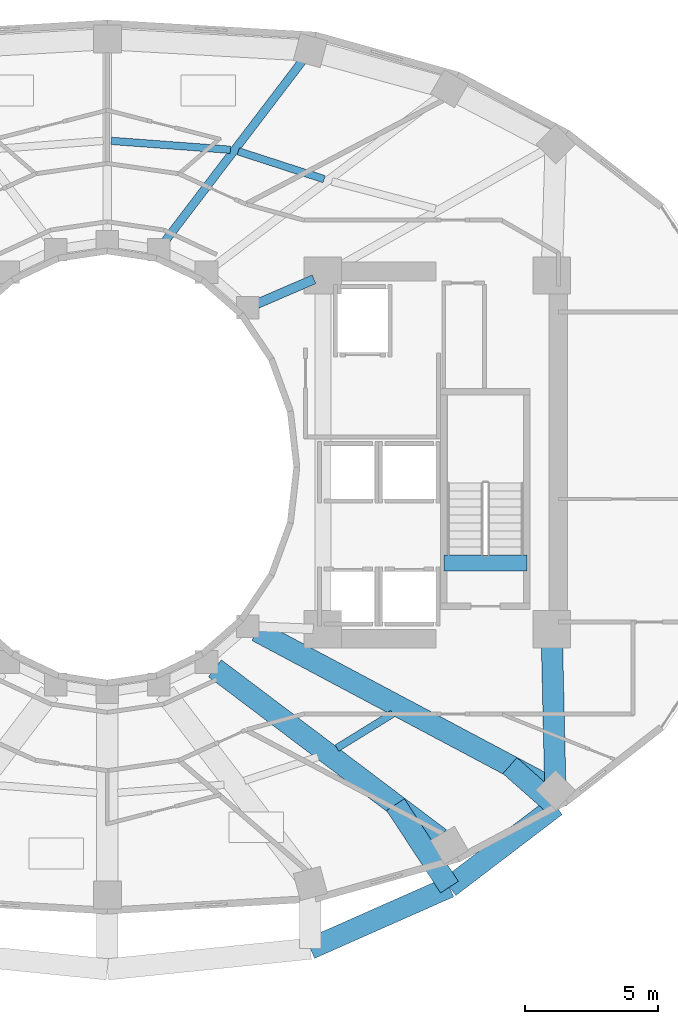
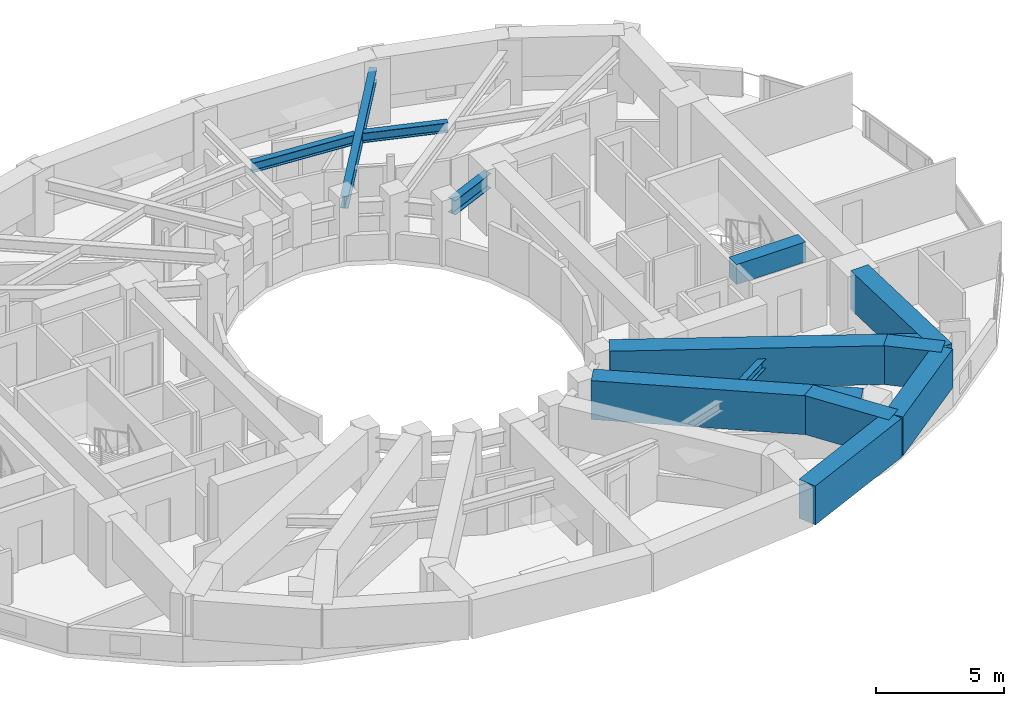
# One storey, part 2 of 14: 13 beams.
"""IFC4 building model written with IfcOpenShell, lengths in metres."""

from ifc_helpers import new_model, si_unit, direction, frame, origin, origin_2d, place, context, subcontext, project, spatial, rectangle, i_section, extrude, material, material_profile, profile_set, type_object, element, save


model = new_model("IFC4")

# Units and contexts
model_context = context("Model", 3, precision=1e-05, world=origin(), true_north=direction((0.0, 1.0)))
body_context = subcontext(model_context, "Body", "Model", "MODEL_VIEW")
ifc_project = project(units=[si_unit("LENGTHUNIT", "METRE"), si_unit("AREAUNIT", "SQUARE_METRE"), si_unit("VOLUMEUNIT", "CUBIC_METRE"), si_unit("PLANEANGLEUNIT", "RADIAN"), si_unit("MASSUNIT", "GRAM", prefix="KILO")], contexts=[model_context])

# Site, building, storey
site_placement = place(None, origin())
site = spatial("IfcSite", under=ifc_project, at=site_placement, CompositionType="ELEMENT")
building_placement = place(site_placement, origin())
building = spatial("IfcBuilding", under=site, at=building_placement, Name="Solvane Sanctuary Tower", CompositionType="ELEMENT")
storey_placement = place(building_placement, frame((0.0, 0.0, 91.800048828125)))
storey = spatial("IfcBuildingStorey", under=building, at=storey_placement, Name="L27", CompositionType="ELEMENT", Elevation=91.800048828125)

# Beams
ifc_material_1 = material(Name="Concrete C70/85", Category="concrete")
ifc_material_profile_1 = material_profile(ifc_material_1, rectangle(XDim=0.60009765625, YDim=0.949951171875, at=origin_2d()), Name="RC600X950")
ifc_profile_set_1 = profile_set([ifc_material_profile_1], Name="Concrete C70/85")
beam_type_1 = type_object("IfcBeamType", Name="Beam B-COUPLE RC600X950", PredefinedType="LINTEL", material=ifc_profile_set_1)
beam_1_placement = place(storey_placement, frame((44.64990234375, 19.399169921875, 2.625), z_axis=(1.0, 0.0, 0.0), x_axis=(0.0, 1.0, 0.0)))
element("IfcBeam", 1, at=beam_1_placement, inside=storey, type_object=beam_type_1, Name="L27 ST-2 Stair Floor Landing Trimmer", PredefinedType="LINTEL", context=body_context, shape_type="SweptSolid", body=[
    extrude(rectangle(XDim=0.60009765625, YDim=0.949951171875, at=origin_2d()), origin(), (0.0, 0.0, 1.0), 3.1201171875),
])
ifc_material_2 = material(Name="Steel ASTM A992 Grade 50", Category="steel")
ifc_material_profile_2 = material_profile(ifc_material_2, i_section(OverallWidth=0.31494140625, OverallDepth=0.575927734375, WebThickness=0.01513671875, FlangeThickness=0.0244140625, FilletRadius=0.014892578125, at=origin_2d()), Name="W21X122")
ifc_profile_set_2 = profile_set([ifc_material_profile_2], Name="Steel ASTM A992 Grade 50")
beam_type_2 = type_object("IfcBeamType", Name="Beam B-RAD-Z2 W21X122", PredefinedType="BEAM", material=ifc_profile_set_2)
beam_2_placement = place(storey_placement, frame((34.1005859375, 31.394287109375, 2.31005859375), z_axis=(0.605972515369, 0.795485581653, 0.0), x_axis=(-0.795485581653, 0.605972515369, 0.0)))
element("IfcBeam", 2, at=beam_2_placement, inside=storey, type_object=beam_type_2, Name="L27 Radial Composite Floor Beam 03", PredefinedType="BEAM", context=body_context, shape_type="SweptSolid", body=[
    extrude(i_section(OverallWidth=0.31494140625, OverallDepth=0.575927734375, WebThickness=0.01513671875, FlangeThickness=0.0244140625, FilletRadius=0.014892578125, at=origin_2d()), origin(), (0.0, 0.0, 1.0), 8.84375),
])
ifc_material_profile_3 = material_profile(ifc_material_2, i_section(OverallWidth=0.35498046875, OverallDepth=0.695068359375, WebThickness=0.015380859375, FlangeThickness=0.02490234375, FilletRadius=0.01806640625, at=origin_2d()), Name="W27X146")
ifc_profile_set_3 = profile_set([ifc_material_profile_3], Name="Steel ASTM A992 Grade 50")
beam_type_3 = type_object("IfcBeamType", Name="Beam B-RING-IN1 W27X146", PredefinedType="BEAM", material=ifc_profile_set_3)
beam_3_placement = place(storey_placement, frame((37.6376953125, 29.138427734375, 2.25048828125), z_axis=(0.918261456479, 0.3959746173, 0.0), x_axis=(-0.3959746173, 0.918261456479, 0.0)))
element("IfcBeam", 3, at=beam_3_placement, inside=storey, type_object=beam_type_3, Name="L27 Inner Light-Well Ring Beam IC01-CE4", PredefinedType="BEAM", context=body_context, shape_type="SweptSolid", body=[
    extrude(i_section(OverallWidth=0.35498046875, OverallDepth=0.695068359375, WebThickness=0.015380859375, FlangeThickness=0.02490234375, FilletRadius=0.01806640625, at=origin_2d()), origin(), (0.0, 0.0, 1.0), 2.3212890625),
])
ifc_material_profile_4 = material_profile(ifc_material_2, i_section(OverallWidth=0.280029296875, OverallDepth=0.462890625, WebThickness=0.0107421875, FlangeThickness=0.017333984375, FilletRadius=0.013916015625, at=origin_2d()), Name="W18X76")
ifc_profile_set_4 = profile_set([ifc_material_profile_4], Name="Steel ASTM A992 Grade 50")
beam_type_4 = type_object("IfcBeamType", Name="Beam B-SEC-JOIST W18X76", PredefinedType="JOIST", material=ifc_profile_set_4)
beam_4_placement = place(storey_placement, frame((32.152099609375, 35.258544921875, 2.366455078125), z_axis=(0.997207316227, -0.074683120339, 0.0), x_axis=(0.074683120339, 0.997207316227, 0.0)))
element("IfcBeam", 4, at=beam_4_placement, inside=storey, type_object=beam_type_4, Name="L27 Secondary Circumferential Joist 04-03", PredefinedType="JOIST", context=body_context, shape_type="SweptSolid", body=[
    extrude(i_section(OverallWidth=0.280029296875, OverallDepth=0.462890625, WebThickness=0.0107421875, FlangeThickness=0.017333984375, FilletRadius=0.013916015625, at=origin_2d()), origin(), (0.0, 0.0, 1.0), 4.48828125),
])
beam_5_placement = place(storey_placement, frame((36.92529296875, 34.86474609375, 2.366455078125), z_axis=(0.951216534175, -0.308524075416, 0.0), x_axis=(0.308524075416, 0.951216534175, 0.0)))
element("IfcBeam", 5, at=beam_5_placement, inside=storey, type_object=beam_type_4, Name="L27 Secondary Circumferential Joist 03-02", PredefinedType="JOIST", context=body_context, shape_type="SweptSolid", body=[
    extrude(i_section(OverallWidth=0.280029296875, OverallDepth=0.462890625, WebThickness=0.0107421875, FlangeThickness=0.017333984375, FilletRadius=0.013916015625, at=origin_2d()), origin(), (0.0, 0.0, 1.0), 3.38916015625),
])
beam_6_placement = place(storey_placement, frame((40.630126953125, 12.435546875, 2.366455078125), z_axis=(0.850640451739, 0.525747869101, 0.0), x_axis=(-0.525747869101, 0.850640451739, 0.0)))
element("IfcBeam", 6, at=beam_6_placement, inside=storey, type_object=beam_type_4, Name="L27 Secondary Circumferential Joist 13-14", PredefinedType="JOIST", context=body_context, shape_type="SweptSolid", body=[
    extrude(i_section(OverallWidth=0.280029296875, OverallDepth=0.462890625, WebThickness=0.0107421875, FlangeThickness=0.017333984375, FilletRadius=0.013916015625, at=origin_2d()), origin(), (0.0, 0.0, 1.0), 2.46630859375),
])
ifc_material_profile_5 = material_profile(ifc_material_1, rectangle(XDim=0.800048828125, YDim=1.85009765625, at=origin_2d()), Name="RC800X1850")
ifc_profile_set_5 = profile_set([ifc_material_profile_5], Name="Concrete C70/85")
beam_type_5 = type_object("IfcBeamType", Name="Beam B-XFER-BLK RC800X1850", PredefinedType="BEAM", material=ifc_profile_set_5)
beam_7_placement = place(storey_placement, frame((36.04541015625, 15.435302734375, 2.175048828125), z_axis=(0.798118916751, -0.602499954128, 0.0), x_axis=(0.602499954128, 0.798118916751, 0.0)))
element("IfcBeam", 7, at=beam_7_placement, inside=storey, type_object=beam_type_5, Name="L27 Block-Shift Radial Transfer Girder 13A", PredefinedType="BEAM", context=body_context, shape_type="SweptSolid", body=[
    extrude(rectangle(XDim=0.800048828125, YDim=1.85009765625, at=origin_2d()), origin(), (0.0, 0.0, 1.0), 10.59716796875),
])
beam_8_placement = place(storey_placement, frame((42.830078125, 10.313720703125, 2.175048828125), z_axis=(0.54753166112, -0.836784966447, 0.0), x_axis=(0.836784966447, 0.54753166112, 0.0)))
element("IfcBeam", 8, at=beam_8_placement, inside=storey, type_object=beam_type_5, Name="L27 Block-Shift Transfer Tie 13B", PredefinedType="BEAM", context=body_context, shape_type="SweptSolid", body=[
    extrude(rectangle(XDim=0.800048828125, YDim=1.85009765625, at=origin_2d()), origin(), (0.0, 0.0, 1.0), 3.70458984375),
])
beam_9_placement = place(storey_placement, frame((37.623779296875, 16.83251953125, 2.175048828125), z_axis=(0.882951343318, -0.469464509131, 0.0), x_axis=(0.469464509131, 0.882951343318, 0.0)))
element("IfcBeam", 9, at=beam_9_placement, inside=storey, type_object=beam_type_5, Name="L27 Block-Shift Radial Transfer Girder 14A", PredefinedType="BEAM", context=body_context, shape_type="SweptSolid", body=[
    extrude(rectangle(XDim=0.800048828125, YDim=1.85009765625, at=origin_2d()), origin(), (0.0, 0.0, 1.0), 12.27294921875),
])
beam_10_placement = place(storey_placement, frame((47.131103515625, 11.77734375, 2.175048828125), z_axis=(0.749639309697, -0.661846587478, 0.0), x_axis=(0.661846587478, 0.749639309697, 0.0)))
element("IfcBeam", 10, at=beam_10_placement, inside=storey, type_object=beam_type_5, Name="L27 Block-Shift Transfer Tie 14B", PredefinedType="BEAM", context=body_context, shape_type="SweptSolid", body=[
    extrude(rectangle(XDim=0.800048828125, YDim=1.85009765625, at=origin_2d()), origin(), (0.0, 0.0, 1.0), 2.297119140625),
])
beam_11_placement = place(storey_placement, frame((39.62939453125, 4.89990234375, 2.175048828125), z_axis=(0.914461816427, 0.404672196101, 0.0), x_axis=(-0.404672196101, 0.914461816427, 0.0)))
element("IfcBeam", 11, at=beam_11_placement, inside=storey, type_object=beam_type_5, Name="L27 Perimeter Step Transfer Ring NTC12-NTC13", PredefinedType="BEAM", context=body_context, shape_type="SweptSolid", body=[
    extrude(rectangle(XDim=0.800048828125, YDim=1.85009765625, at=origin_2d()), origin(), (0.0, 0.0, 1.0), 5.718017578125),
])
beam_12_placement = place(storey_placement, frame((44.8583984375, 7.2138671875, 2.175048828125), z_axis=(0.795461851464, 0.606003665719, 0.0), x_axis=(-0.606003665719, 0.795461851464, 0.0)))
element("IfcBeam", 12, at=beam_12_placement, inside=storey, type_object=beam_type_5, Name="L27 Perimeter Step Transfer Ring NTC13-NTC14", PredefinedType="BEAM", context=body_context, shape_type="SweptSolid", body=[
    extrude(rectangle(XDim=0.800048828125, YDim=1.85009765625, at=origin_2d()), origin(), (0.0, 0.0, 1.0), 5.021728515625),
])
beam_13_placement = place(storey_placement, frame((48.85302734375, 10.257080078125, 2.175048828125), z_axis=(-0.023036434167, 0.999734626139, 0.0), x_axis=(-0.999734626139, -0.023036434167, 0.0)))
element("IfcBeam", 13, at=beam_13_placement, inside=storey, type_object=beam_type_5, Name="L27 Perimeter Step Transfer Ring NTC14-CE2", PredefinedType="BEAM", context=body_context, shape_type="SweptSolid", body=[
    extrude(rectangle(XDim=0.800048828125, YDim=1.85009765625, at=origin_2d()), origin(), (0.0, 0.0, 1.0), 6.28466796875),
])

save(model, "model.ifc")
